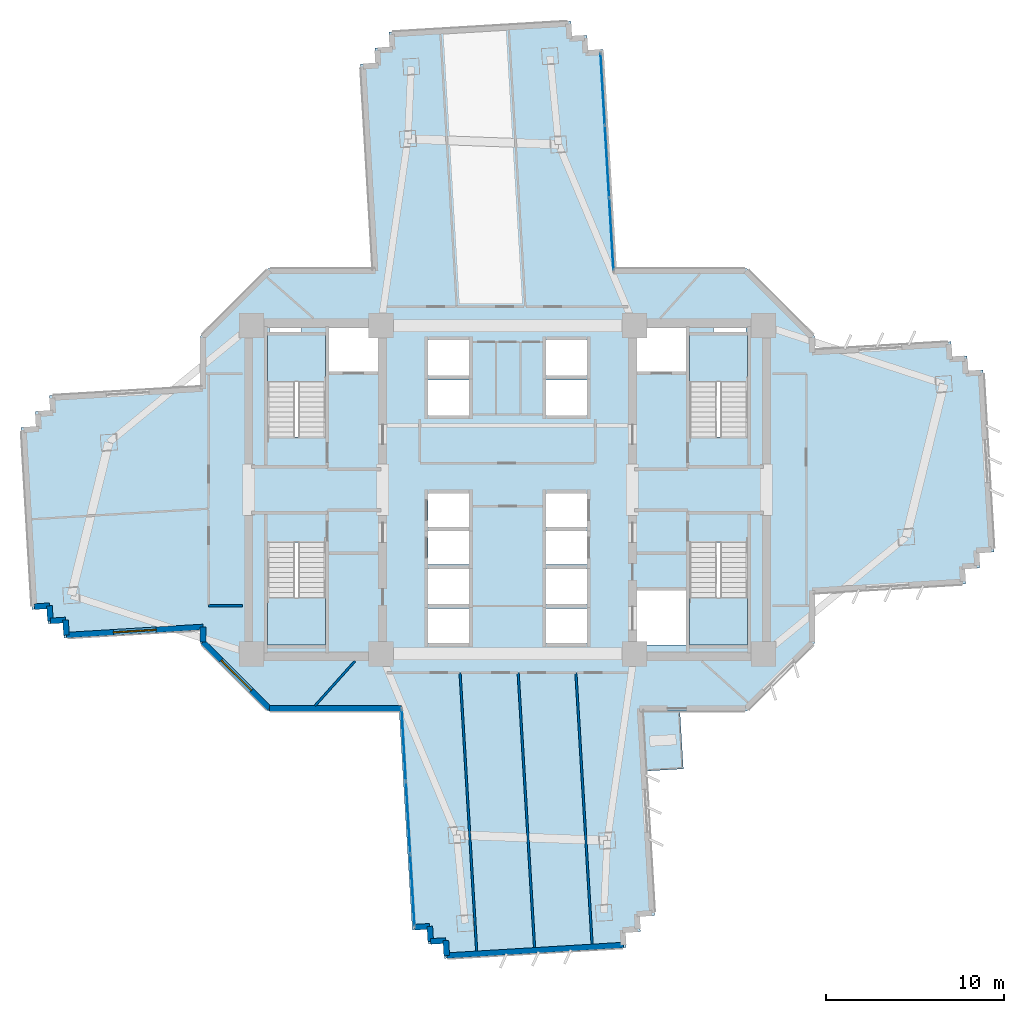
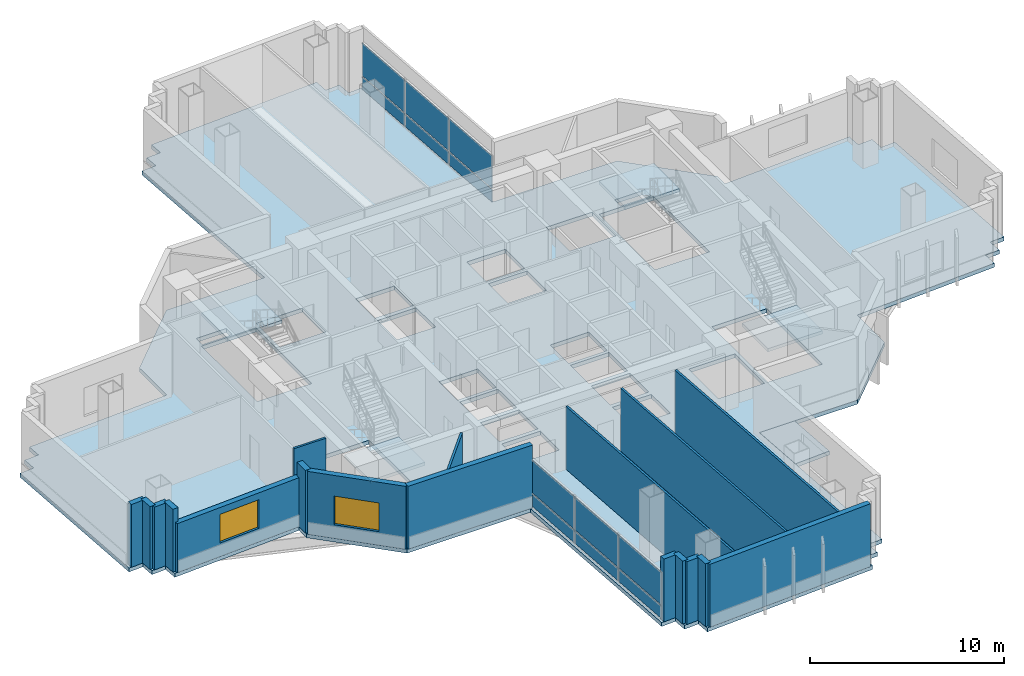
# One storey, part 5 of 15: 18 walls, 12 plates, 6 slabs, 2 windows, 2 openings, 6 elements without a shape of their own.
"""IFC4 building model written with IfcOpenShell, lengths in metres."""

from ifc_helpers import new_model, si_unit, direction, frame, frame_2d, origin, origin_2d, place, context, subcontext, project, spatial, polyline, rectangle, outline, extrude, source, transform, mapped, material, layer, layer_set, type_object, element, fill, aggregate, save


model = new_model("IFC4")

# Units and contexts
model_context = context("Model", 3, precision=1e-05, world=origin(), true_north=direction((0.0, 1.0)))
body_context = subcontext(model_context, "Body", "Model", "MODEL_VIEW")
ifc_project = project(units=[si_unit("LENGTHUNIT", "METRE"), si_unit("AREAUNIT", "SQUARE_METRE"), si_unit("VOLUMEUNIT", "CUBIC_METRE"), si_unit("PLANEANGLEUNIT", "RADIAN"), si_unit("MASSUNIT", "GRAM", prefix="KILO")], contexts=[model_context])

# Site, building, storey
site_placement = place(None, origin())
site = spatial("IfcSite", under=ifc_project, at=site_placement, CompositionType="ELEMENT")
building_placement = place(site_placement, origin())
building = spatial("IfcBuilding", under=site, at=building_placement, Name="Zahravan Cultural Tower", CompositionType="ELEMENT")
storey_placement = place(building_placement, frame((0.0, 0.0, 66.89990234375)))
storey = spatial("IfcBuildingStorey", under=building, at=storey_placement, Name="L14", CompositionType="ELEMENT", Elevation=66.89990234375)

# Stair, slab
ifc_material_1 = material(Name="Concrete C45/55", Category="concrete")
stair_type = type_object("IfcStairType", Name="STR-DL-1550-420", PredefinedType="HALF_TURN_STAIR", material=ifc_material_1)
stair_1_placement = place(storey_placement, origin())
stair_1 = element("IfcStair", 1, at=stair_1_placement, inside=storey, type_object=stair_type, Name="L14 West Core North Exit Stair ST-W1", PredefinedType="HALF_TURN_STAIR")
ifc_layer_1 = layer(ifc_material_1, 0.199951171875)
ifc_layer_set_1 = layer_set([ifc_layer_1], Name="Concrete C45/55")
slab_type_1 = type_object("IfcSlabType", Name="SL-STAIR-LND200", PredefinedType="LANDING", material=ifc_layer_set_1)
slab_1_placement = place(storey_placement, frame((0.0, 0.0, 1.900146484375)))
slab_1 = element("IfcSlab", 2, at=slab_1_placement, type_object=slab_type_1, Name="ST-W1 landing 1", PredefinedType="LANDING", context=body_context, shape_type="SweptSolid", body=[
    extrude(outline(polyline([(25.800048828125, 33.030029296875), (25.800048828125, 35.699951171875), (22.550048828125, 35.699951171875), (22.550048828125, 33.030029296875), (25.800048828125, 33.030029296875)])), origin(), (0.0, 0.0, 1.0), 0.199951171875),
])
aggregate(stair_1, [slab_1])

stair_2_placement = place(storey_placement, origin())
stair_2 = element("IfcStair", 3, at=stair_2_placement, inside=storey, type_object=stair_type, Name="L14 West Core South Exit Stair ST-W2", PredefinedType="HALF_TURN_STAIR")
slab_2_placement = place(storey_placement, frame((0.0, 0.0, 1.900146484375)))
slab_2 = element("IfcSlab", 4, at=slab_2_placement, type_object=slab_type_1, Name="ST-W2 landing 1", PredefinedType="LANDING", context=body_context, shape_type="SweptSolid", body=[
    extrude(outline(polyline([(22.550048828125, 20.969970703125), (22.550048828125, 18.300048828125), (25.800048828125, 18.300048828125), (25.800048828125, 20.969970703125), (22.550048828125, 20.969970703125)])), origin(), (0.0, 0.0, 1.0), 0.199951171875),
])
aggregate(stair_2, [slab_2])

stair_3_placement = place(storey_placement, origin())
stair_3 = element("IfcStair", 5, at=stair_3_placement, inside=storey, type_object=stair_type, Name="L14 East Core North Exit Stair ST-E1", PredefinedType="HALF_TURN_STAIR")
slab_3_placement = place(storey_placement, frame((0.0, 0.0, 1.900146484375)))
slab_3 = element("IfcSlab", 6, at=slab_3_placement, type_object=slab_type_1, Name="ST-E1 landing 1", PredefinedType="LANDING", context=body_context, shape_type="SweptSolid", body=[
    extrude(outline(polyline([(49.449951171875, 33.030029296875), (49.449951171875, 35.699951171875), (46.199951171875, 35.699951171875), (46.199951171875, 33.030029296875), (49.449951171875, 33.030029296875)])), origin(), (0.0, 0.0, 1.0), 0.199951171875),
])
aggregate(stair_3, [slab_3])

stair_4_placement = place(storey_placement, origin())
stair_4 = element("IfcStair", 7, at=stair_4_placement, inside=storey, type_object=stair_type, Name="L14 East Core South Exit Stair ST-E2", PredefinedType="HALF_TURN_STAIR")
slab_4_placement = place(storey_placement, frame((0.0, 0.0, 1.900146484375)))
slab_4 = element("IfcSlab", 8, at=slab_4_placement, type_object=slab_type_1, Name="ST-E2 landing 1", PredefinedType="LANDING", context=body_context, shape_type="SweptSolid", body=[
    extrude(outline(polyline([(46.199951171875, 20.969970703125), (46.199951171875, 18.300048828125), (49.449951171875, 18.300048828125), (49.449951171875, 20.969970703125), (46.199951171875, 20.969970703125)])), origin(), (0.0, 0.0, 1.0), 0.199951171875),
])
aggregate(stair_4, [slab_4])

# Slabs
ifc_material_2 = material(Name="Concrete C40/50", Category="concrete")
ifc_layer_2 = layer(ifc_material_2, 0.239990234375)
ifc_layer_set_2 = layer_set([ifc_layer_2], Name="Concrete C40/50")
slab_type_2 = type_object("IfcSlabType", Name="SL-TERR-240", PredefinedType="FLOOR", material=ifc_layer_set_2)
slab_5_placement = place(storey_placement, frame((0.0, 0.0, -0.239990234375)))
element("IfcSlab", 9, at=slab_5_placement, inside=storey, type_object=slab_type_2, Name="L14 Planted Sculpture Terrace SE", PredefinedType="FLOOR", context=body_context, shape_type="SweptSolid", body=[
    extrude(outline(polyline([(45.8505859375, 11.35986328125), (45.6572265625, 14.594970703125), (43.55859375, 14.594970703125), (43.75927734375, 11.23486328125), (45.8505859375, 11.35986328125)])), origin(), (0.0, 0.0, 1.0), 0.239990234375),
])
ifc_layer_3 = layer(ifc_material_2, 0.25)
ifc_layer_set_3 = layer_set([ifc_layer_3], Name="Concrete C40/50")
slab_type_3 = type_object("IfcSlabType", Name="SL-TYP-250", PredefinedType="FLOOR", material=ifc_layer_set_3)
slab_6_placement = place(storey_placement, frame((0.0, 0.0, -0.25)))
element("IfcSlab", 10, at=slab_6_placement, inside=storey, type_object=slab_type_3, Name="L14 Structural Floor Slab", PredefinedType="FLOOR", context=body_context, shape_type="SweptSolid", body=[
    extrude(outline(polyline([(53.199951171875, 34.840087890625), (53.199951171875, 35.60009765625), (49.39990234375, 39.39990234375), (42.071044921875, 39.39990234375), (41.33837890625, 51.662353515625), (40.48974609375, 51.61181640625), (40.439208984375, 52.460205078125), (39.590576171875, 52.409423828125), (39.539794921875, 53.2578125), (29.358154296875, 52.6494140625), (29.40869140625, 51.801025390625), (28.560302734375, 51.750244140625), (28.611083984375, 50.90185546875), (27.762451171875, 50.85107421875), (28.447021484375, 39.39990234375), (22.60009765625, 39.39990234375), (18.800048828125, 35.60009765625), (18.800048828125, 32.7841796875), (10.33935546875, 32.278564453125), (10.39013671875, 31.43017578125), (9.54150390625, 31.37939453125), (9.59228515625, 30.531005859375), (8.743896484375, 30.480224609375), (9.352294921875, 20.29833984375), (10.20068359375, 20.34912109375), (10.25146484375, 19.50048828125), (11.10009765625, 19.55126953125), (11.150634765625, 18.702880859375), (18.800048828125, 19.159912109375), (18.800048828125, 18.39990234375), (22.60009765625, 14.60009765625), (29.928955078125, 14.60009765625), (30.66162109375, 2.337646484375), (31.51025390625, 2.38818359375), (31.560791015625, 1.539794921875), (32.409423828125, 1.590576171875), (32.460205078125, 0.7421875), (42.641845703125, 1.3505859375), (42.59130859375, 2.198974609375), (43.439697265625, 2.249755859375), (43.388916015625, 3.09814453125), (44.237548828125, 3.14892578125), (43.552978515625, 14.60009765625), (49.39990234375, 14.60009765625), (53.199951171875, 18.39990234375), (53.199951171875, 21.2158203125), (61.66064453125, 21.721435546875), (61.60986328125, 22.56982421875), (62.45849609375, 22.62060546875), (62.40771484375, 23.468994140625), (63.256103515625, 23.519775390625), (62.647705078125, 33.70166015625), (61.79931640625, 33.65087890625), (61.74853515625, 34.49951171875), (60.89990234375, 34.44873046875), (60.849365234375, 35.297119140625), (53.199951171875, 34.840087890625)]), holes=[polyline([(22.550048828125, 29.949951171875), (22.550048828125, 35.699951171875), (25.800048828125, 35.699951171875), (25.800048828125, 29.949951171875), (22.550048828125, 29.949951171875)]), polyline([(22.550048828125, 18.300048828125), (22.550048828125, 24.050048828125), (25.800048828125, 24.050048828125), (25.800048828125, 18.300048828125), (22.550048828125, 18.300048828125)]), polyline([(46.199951171875, 29.949951171875), (46.199951171875, 35.699951171875), (49.449951171875, 35.699951171875), (49.449951171875, 29.949951171875), (46.199951171875, 29.949951171875)]), polyline([(46.199951171875, 18.300048828125), (46.199951171875, 24.050048828125), (49.449951171875, 24.050048828125), (49.449951171875, 18.300048828125), (46.199951171875, 18.300048828125)]), polyline([(26.0, 33.60009765625), (26.0, 36.050048828125), (28.75, 36.050048828125), (28.75, 33.60009765625), (26.0, 33.60009765625)]), polyline([(43.25, 33.60009765625), (43.25, 36.050048828125), (46.0, 36.050048828125), (46.0, 33.60009765625), (43.25, 33.60009765625)]), polyline([(43.25, 18.300048828125), (43.25, 21.35009765625), (46.0, 21.35009765625), (46.0, 18.300048828125), (43.25, 18.300048828125)]), polyline([(31.550048828125, 33.39990234375), (31.550048828125, 35.39990234375), (33.85009765625, 35.39990234375), (33.85009765625, 33.39990234375), (31.550048828125, 33.39990234375)]), polyline([(31.550048828125, 31.14990234375), (31.550048828125, 33.14990234375), (33.85009765625, 33.14990234375), (33.85009765625, 31.14990234375), (31.550048828125, 31.14990234375)]), polyline([(38.14990234375, 33.39990234375), (38.14990234375, 35.39990234375), (40.449951171875, 35.39990234375), (40.449951171875, 33.39990234375), (38.14990234375, 33.39990234375)]), polyline([(38.14990234375, 31.14990234375), (38.14990234375, 33.14990234375), (40.449951171875, 33.14990234375), (40.449951171875, 31.14990234375), (38.14990234375, 31.14990234375)]), polyline([(31.550048828125, 20.60009765625), (31.550048828125, 22.550048828125), (33.85009765625, 22.550048828125), (33.85009765625, 20.60009765625), (31.550048828125, 20.60009765625)]), polyline([(31.550048828125, 18.39990234375), (31.550048828125, 20.35009765625), (33.85009765625, 20.35009765625), (33.85009765625, 18.39990234375), (31.550048828125, 18.39990234375)]), polyline([(38.14990234375, 20.60009765625), (38.14990234375, 22.550048828125), (40.449951171875, 22.550048828125), (40.449951171875, 20.60009765625), (38.14990234375, 20.60009765625)]), polyline([(38.14990234375, 18.39990234375), (38.14990234375, 20.35009765625), (40.449951171875, 20.35009765625), (40.449951171875, 18.39990234375), (38.14990234375, 18.39990234375)]), polyline([(31.550048828125, 24.89990234375), (31.550048828125, 26.800048828125), (33.85009765625, 26.800048828125), (33.85009765625, 24.89990234375), (31.550048828125, 24.89990234375)]), polyline([(31.550048828125, 22.800048828125), (31.550048828125, 24.699951171875), (33.85009765625, 24.699951171875), (33.85009765625, 22.800048828125), (31.550048828125, 22.800048828125)]), polyline([(38.14990234375, 24.89990234375), (38.14990234375, 26.800048828125), (40.449951171875, 26.800048828125), (40.449951171875, 24.89990234375), (38.14990234375, 24.89990234375)]), polyline([(38.14990234375, 22.800048828125), (38.14990234375, 24.699951171875), (40.449951171875, 24.699951171875), (40.449951171875, 22.800048828125), (38.14990234375, 22.800048828125)]), polyline([(22.64990234375, 35.800048828125), (22.64990234375, 36.419921875), (24.449951171875, 36.419921875), (24.449951171875, 35.800048828125), (22.64990234375, 35.800048828125)]), polyline([(47.550048828125, 35.800048828125), (47.550048828125, 36.419921875), (49.35009765625, 36.419921875), (49.35009765625, 35.800048828125), (47.550048828125, 35.800048828125)])]), origin(), (0.0, 0.0, 1.0), 0.25),
])

# Curtain wall, plates
ifc_material_3 = material(Name="Anodised bronze-aluminium mullion", Category="aluminium")
ifc_layer_4 = layer(ifc_material_3, 0.219970703125)
ifc_layer_set_4 = layer_set([ifc_layer_4], Name="Anodised bronze-aluminium mullion")
curtain_wall_type_1 = type_object("IfcCurtainWallType", Name="CW-SYS-1", PredefinedType="USERDEFINED", material=ifc_layer_set_4)
curtain_wall_1_placement = place(storey_placement, origin())
curtain_wall_1 = element("IfcCurtainWall", 11, at=curtain_wall_1_placement, inside=storey, type_object=curtain_wall_type_1, Name="L14 Recessed Curtain Wall CW-1.1", ObjectType="RECESSED GLAZING", PredefinedType="USERDEFINED")
ifc_material_4 = material(Name="Low-E solar-control double glazing", Category="glass")
ifc_layer_5 = layer(ifc_material_4, 0.031982421875)
ifc_layer_set_5 = layer_set([ifc_layer_5], Name="Low-E solar-control double glazing")
plate_type_1 = type_object("IfcPlateType", Name="CWP-CW-1", PredefinedType="CURTAIN_PANEL", material=ifc_layer_set_5)
shared_shape_1 = source(origin(), body_context, "Body", "SweptSolid", [
    extrude(rectangle(XDim=3.97216796875, YDim=0.031982421875, at=origin_2d()), origin(), (0.0, 0.0, 1.0), 0.780029296875),
])
plate_1_placement = place(storey_placement, frame((30.669921875, 4.548095703125, 0.080078125), z_axis=(0.0, 0.0, 1.0), x_axis=(-0.059652198511, 0.998219222021, 0.0)))
plate_1 = element("IfcPlate", 12, at=plate_1_placement, type_object=plate_type_1, Name="CW-1 panel 1.1", PredefinedType="CURTAIN_PANEL", context=body_context, shape_type="MappedRepresentation", body=[
    mapped(shared_shape_1, transform((0.0, 0.0, 0.0), x_axis=(1.0, 0.0, 0.0), y_axis=(0.0, 1.0, 0.0), z_axis=(0.0, 0.0, 1.0), scale=1.0)),
])
plate_2_placement = place(storey_placement, frame((30.18408203125, 12.677734375, 0.080078125), z_axis=(0.0, 0.0, 1.0), x_axis=(-0.059652198511, 0.998219222021, 0.0)))
plate_2 = element("IfcPlate", 13, at=plate_2_placement, type_object=plate_type_1, Name="CW-1 panel 3.1", PredefinedType="CURTAIN_PANEL", context=body_context, shape_type="MappedRepresentation", body=[
    mapped(shared_shape_1, transform((0.0, 0.0, 0.0), x_axis=(1.0, 0.0, 0.0), y_axis=(0.0, 1.0, 0.0), z_axis=(0.0, 0.0, 1.0), scale=1.0)),
])
shared_shape_2 = source(origin(), body_context, "Body", "SweptSolid", [
    extrude(rectangle(XDim=3.97216796875, YDim=0.031982421875, at=origin_2d()), origin(), (0.0, 0.0, 1.0), 2.050048828125),
])
plate_3_placement = place(storey_placement, frame((30.669921875, 4.548095703125, 0.93994140625), z_axis=(0.0, 0.0, 1.0), x_axis=(-0.059652198511, 0.998219222021, 0.0)))
plate_3 = element("IfcPlate", 14, at=plate_3_placement, type_object=plate_type_1, Name="CW-1 panel 1.2", PredefinedType="CURTAIN_PANEL", context=body_context, shape_type="MappedRepresentation", body=[
    mapped(shared_shape_2, transform((0.0, 0.0, 0.0), x_axis=(1.0, 0.0, 0.0), y_axis=(0.0, 1.0, 0.0), z_axis=(0.0, 0.0, 1.0), scale=1.0)),
])
plate_4_placement = place(storey_placement, frame((30.18408203125, 12.677734375, 0.93994140625), z_axis=(0.0, 0.0, 1.0), x_axis=(-0.059652198511, 0.998219222021, 0.0)))
plate_4 = element("IfcPlate", 15, at=plate_4_placement, type_object=plate_type_1, Name="CW-1 panel 3.2", PredefinedType="CURTAIN_PANEL", context=body_context, shape_type="MappedRepresentation", body=[
    mapped(shared_shape_2, transform((0.0, 0.0, 0.0), x_axis=(1.0, 0.0, 0.0), y_axis=(0.0, 1.0, 0.0), z_axis=(0.0, 0.0, 1.0), scale=1.0)),
])
shared_shape_3 = source(origin(), body_context, "Body", "SweptSolid", [
    extrude(rectangle(XDim=4.011962890625, YDim=0.031982421875, at=origin_2d()), origin(), (0.0, 0.0, 1.0), 0.780029296875),
])
plate_5_placement = place(storey_placement, frame((30.427001953125, 8.61279296875, 0.080078125), z_axis=(0.0, 0.0, 1.0), x_axis=(-0.059652198511, 0.998219222021, 0.0)))
plate_5 = element("IfcPlate", 16, at=plate_5_placement, type_object=plate_type_1, Name="CW-1 panel 2.1", PredefinedType="CURTAIN_PANEL", context=body_context, shape_type="MappedRepresentation", body=[
    mapped(shared_shape_3, transform((0.0, 0.0, 0.0), x_axis=(1.0, 0.0, 0.0), y_axis=(0.0, 1.0, 0.0), z_axis=(0.0, 0.0, 1.0), scale=1.0)),
])
shared_shape_4 = source(origin(), body_context, "Body", "SweptSolid", [
    extrude(rectangle(XDim=4.011962890625, YDim=0.031982421875, at=origin_2d()), origin(), (0.0, 0.0, 1.0), 2.050048828125),
])
plate_6_placement = place(storey_placement, frame((30.427001953125, 8.61279296875, 0.93994140625), z_axis=(0.0, 0.0, 1.0), x_axis=(-0.059652198511, 0.998219222021, 0.0)))
plate_6 = element("IfcPlate", 17, at=plate_6_placement, type_object=plate_type_1, Name="CW-1 panel 2.2", PredefinedType="CURTAIN_PANEL", context=body_context, shape_type="MappedRepresentation", body=[
    mapped(shared_shape_4, transform((0.0, 0.0, 0.0), x_axis=(1.0, 0.0, 0.0), y_axis=(0.0, 1.0, 0.0), z_axis=(0.0, 0.0, 1.0), scale=1.0)),
])
aggregate(curtain_wall_1, [plate_1, plate_3, plate_5, plate_6, plate_2, plate_4])

ifc_layer_6 = layer(ifc_material_3, 0.199951171875)
ifc_layer_set_6 = layer_set([ifc_layer_6], Name="Anodised bronze-aluminium mullion")
curtain_wall_type_2 = type_object("IfcCurtainWallType", Name="CW-SYS-2", PredefinedType="USERDEFINED", material=ifc_layer_set_6)
curtain_wall_2_placement = place(storey_placement, origin())
curtain_wall_2 = element("IfcCurtainWall", 18, at=curtain_wall_2_placement, inside=storey, type_object=curtain_wall_type_2, Name="L14 Recessed Curtain Wall CW-2.2", ObjectType="RECESSED GLAZING", PredefinedType="USERDEFINED")
ifc_layer_7 = layer(ifc_material_4, 0.030029296875)
ifc_layer_set_7 = layer_set([ifc_layer_7], Name="Low-E solar-control double glazing")
plate_type_2 = type_object("IfcPlateType", Name="CWP-CW-2", PredefinedType="CURTAIN_PANEL", material=ifc_layer_set_7)
shared_shape_5 = source(origin(), body_context, "Body", "SweptSolid", [
    extrude(rectangle(XDim=3.9794921875, YDim=0.030029296875, at=origin_2d()), origin(), (0.0, 0.0, 1.0), 0.78759765625),
])
plate_7_placement = place(storey_placement, frame((41.330078125, 49.453125, 0.074951171875), z_axis=(0.0, 0.0, 1.0), x_axis=(0.059652198511, -0.998219222021, 0.0)))
plate_7 = element("IfcPlate", 19, at=plate_7_placement, type_object=plate_type_2, Name="CW-2 panel 1.1", PredefinedType="CURTAIN_PANEL", context=body_context, shape_type="MappedRepresentation", body=[
    mapped(shared_shape_5, transform((0.0, 0.0, 0.0), x_axis=(1.0, 0.0, 0.0), y_axis=(0.0, 1.0, 0.0), z_axis=(0.0, 0.0, 1.0), scale=1.0)),
])
plate_8_placement = place(storey_placement, frame((41.81591796875, 41.321044921875, 0.074951171875), z_axis=(0.0, 0.0, 1.0), x_axis=(0.059652198511, -0.998219222021, 0.0)))
plate_8 = element("IfcPlate", 20, at=plate_8_placement, type_object=plate_type_2, Name="CW-2 panel 3.1", PredefinedType="CURTAIN_PANEL", context=body_context, shape_type="MappedRepresentation", body=[
    mapped(shared_shape_5, transform((0.0, 0.0, 0.0), x_axis=(1.0, 0.0, 0.0), y_axis=(0.0, 1.0, 0.0), z_axis=(0.0, 0.0, 1.0), scale=1.0)),
])
shared_shape_6 = source(origin(), body_context, "Body", "SweptSolid", [
    extrude(rectangle(XDim=3.9794921875, YDim=0.030029296875, at=origin_2d()), origin(), (0.0, 0.0, 1.0), 2.0576171875),
])
plate_9_placement = place(storey_placement, frame((41.330078125, 49.453125, 0.9375), z_axis=(0.0, 0.0, 1.0), x_axis=(0.059652198511, -0.998219222021, 0.0)))
plate_9 = element("IfcPlate", 21, at=plate_9_placement, type_object=plate_type_2, Name="CW-2 panel 1.2", PredefinedType="CURTAIN_PANEL", context=body_context, shape_type="MappedRepresentation", body=[
    mapped(shared_shape_6, transform((0.0, 0.0, 0.0), x_axis=(1.0, 0.0, 0.0), y_axis=(0.0, 1.0, 0.0), z_axis=(0.0, 0.0, 1.0), scale=1.0)),
])
plate_10_placement = place(storey_placement, frame((41.81591796875, 41.321044921875, 0.9375), z_axis=(0.0, 0.0, 1.0), x_axis=(0.059652198511, -0.998219222021, 0.0)))
plate_10 = element("IfcPlate", 22, at=plate_10_placement, type_object=plate_type_2, Name="CW-2 panel 3.2", PredefinedType="CURTAIN_PANEL", context=body_context, shape_type="MappedRepresentation", body=[
    mapped(shared_shape_6, transform((0.0, 0.0, 0.0), x_axis=(1.0, 0.0, 0.0), y_axis=(0.0, 1.0, 0.0), z_axis=(0.0, 0.0, 1.0), scale=1.0)),
])
shared_shape_7 = source(origin(), body_context, "Body", "SweptSolid", [
    extrude(rectangle(XDim=4.01708984375, YDim=0.030029296875, at=origin_2d()), origin(), (0.0, 0.0, 1.0), 0.78759765625),
])
plate_11_placement = place(storey_placement, frame((41.572998046875, 45.38720703125, 0.074951171875), z_axis=(0.0, 0.0, 1.0), x_axis=(0.059652198511, -0.998219222021, 0.0)))
plate_11 = element("IfcPlate", 23, at=plate_11_placement, type_object=plate_type_2, Name="CW-2 panel 2.1", PredefinedType="CURTAIN_PANEL", context=body_context, shape_type="MappedRepresentation", body=[
    mapped(shared_shape_7, transform((0.0, 0.0, 0.0), x_axis=(1.0, 0.0, 0.0), y_axis=(0.0, 1.0, 0.0), z_axis=(0.0, 0.0, 1.0), scale=1.0)),
])
shared_shape_8 = source(origin(), body_context, "Body", "SweptSolid", [
    extrude(rectangle(XDim=4.01708984375, YDim=0.030029296875, at=origin_2d()), origin(), (0.0, 0.0, 1.0), 2.0576171875),
])
plate_12_placement = place(storey_placement, frame((41.572998046875, 45.38720703125, 0.9375), z_axis=(0.0, 0.0, 1.0), x_axis=(0.059652198511, -0.998219222021, 0.0)))
plate_12 = element("IfcPlate", 24, at=plate_12_placement, type_object=plate_type_2, Name="CW-2 panel 2.2", PredefinedType="CURTAIN_PANEL", context=body_context, shape_type="MappedRepresentation", body=[
    mapped(shared_shape_8, transform((0.0, 0.0, 0.0), x_axis=(1.0, 0.0, 0.0), y_axis=(0.0, 1.0, 0.0), z_axis=(0.0, 0.0, 1.0), scale=1.0)),
])
aggregate(curtain_wall_2, [plate_7, plate_9, plate_11, plate_12, plate_8, plate_10])

# Wall, opening, window
ifc_material_5 = material(Name="Precast concrete C40/50", Category="concrete")
ifc_layer_8 = layer(ifc_material_5, 0.320068359375)
ifc_layer_set_8 = layer_set([ifc_layer_8], Name="Precast concrete C40/50")
wall_type_1 = type_object("IfcWallType", Name="EW-TC-320", PredefinedType="SOLIDWALL", material=ifc_layer_set_8)
wall_1_placement = place(storey_placement, frame((22.657958984375, 14.739990234375, 0.0), z_axis=(0.0, 0.0, 1.0), x_axis=(-0.707106781187, 0.707106781187, 0.0)))
wall_1 = element("IfcWall", 25, at=wall_1_placement, inside=storey, type_object=wall_type_1, Name="L14 Exterior Masonry Frame Wall 26", PredefinedType="SOLIDWALL", context=body_context, shape_type="SweptSolid", body=[
    extrude(rectangle(XDim=5.258056640625, YDim=0.320068359375, at=frame_2d((2.62890625, 0.0))), origin(), (0.0, 0.0, 1.0), 3.9501953125),
])
opening_1_placement = place(wall_1_placement, frame((1.428955078125, 0.0, 0.85009765625)))
opening_1 = element("IfcOpeningElement", 26, at=opening_1_placement, cuts=wall_1, Name="Opening WN-01", PredefinedType="OPENING", context=body_context, shape_type="SweptSolid", body=[
    extrude(rectangle(XDim=2.39990234375, YDim=1.800048828125, at=frame_2d((1.199951171875, 0.89990234375))), frame((0.0, 0.169921875, 0.0), z_axis=(0.0, -1.0, 0.0), x_axis=(1.0, 0.0, 0.0)), (0.0, 0.0, 1.0), 0.340087890625),
])
window_type = type_object("IfcWindowType", Name="WN-REC-2400X1800", PartitioningType="DOUBLE_PANEL_VERTICAL", PredefinedType="WINDOW", material=ifc_material_4)
shared_shape_9 = source(origin(), body_context, "Body", "SweptSolid", [
    extrude(rectangle(XDim=2.39990234375, YDim=1.800048828125, at=frame_2d((1.199951171875, 0.89990234375))), frame((0.0, 0.030029296875, 0.0), z_axis=(0.0, -1.0, 0.0), x_axis=(1.0, 0.0, 0.0)), (0.0, 0.0, 1.0), 0.06005859375),
])
window_1_placement = place(opening_1_placement, origin())
window_1 = element("IfcWindow", 27, at=window_1_placement, inside=storey, type_object=window_type, Name="L14 Recessed Solar Window 06", OverallHeight=1.800048828125, OverallWidth=2.39990234375, PartitioningType="DOUBLE_PANEL_VERTICAL", PredefinedType="WINDOW", context=body_context, shape_type="MappedRepresentation", body=[
    mapped(shared_shape_9, transform((0.0, 0.0, 0.0), x_axis=(1.0, 0.0, 0.0), y_axis=(0.0, 1.0, 0.0), z_axis=(0.0, 0.0, 1.0), scale=1.0)),
])
fill(opening_1, window_1)

wall_2_placement = place(storey_placement, frame((18.93994140625, 19.30859375, 0.0), z_axis=(0.0, 0.0, 1.0), x_axis=(-0.998218176762, -0.059669687296, 0.0)))
wall_2 = element("IfcWall", 28, at=wall_2_placement, inside=storey, type_object=wall_type_1, Name="L14 Exterior Masonry Frame Wall 28", PredefinedType="SOLIDWALL", context=body_context, shape_type="SweptSolid", body=[
    extrude(rectangle(XDim=7.671630859375, YDim=0.320068359375, at=frame_2d((3.8359375, 0.0))), origin(), (0.0, 0.0, 1.0), 3.080078125),
])
opening_2_placement = place(wall_2_placement, frame((2.635986328125, 0.0, 0.85009765625)))
opening_2 = element("IfcOpeningElement", 29, at=opening_2_placement, cuts=wall_2, Name="Opening WN-01", PredefinedType="OPENING", context=body_context, shape_type="SweptSolid", body=[
    extrude(rectangle(XDim=2.39990234375, YDim=1.800048828125, at=frame_2d((1.199951171875, 0.89990234375))), frame((0.0, 0.169921875, 0.0), z_axis=(0.0, -1.0, 0.0), x_axis=(1.0, 0.0, 0.0)), (0.0, 0.0, 1.0), 0.340087890625),
])
window_2_placement = place(opening_2_placement, origin())
window_2 = element("IfcWindow", 30, at=window_2_placement, inside=storey, type_object=window_type, Name="L14 Recessed Solar Window 07", OverallHeight=1.800048828125, OverallWidth=2.39990234375, PartitioningType="DOUBLE_PANEL_VERTICAL", PredefinedType="WINDOW", context=body_context, shape_type="MappedRepresentation", body=[
    mapped(shared_shape_9, transform((0.0, 0.0, 0.0), x_axis=(1.0, 0.0, 0.0), y_axis=(0.0, 1.0, 0.0), z_axis=(0.0, 0.0, 1.0), scale=1.0)),
])
fill(opening_2, window_2)

# Walls
shared_shape_10 = source(origin(), body_context, "Body", "SweptSolid", [
    extrude(rectangle(XDim=0.85009765625, YDim=0.320068359375, at=frame_2d((0.425048828125, 0.0))), origin(), (0.0, 0.0, 1.0), 3.9501953125),
])
for number, where, z_axis, x_axis, name in (
    (31, (32.591552734375, 0.89013671875, 0.0), (0.0, 0.0, 1.0), (-0.059732049764, 0.998214447016, 0.0), "L14 Exterior Masonry Frame Wall 21"),
    (32, (11.281982421875, 18.850830078125, 0.0), (0.0, 0.0, 1.0), (-0.059445893707, 0.998231529116, 0.0), "L14 Exterior Masonry Frame Wall 29"),
    (33, (11.2314453125, 19.699462890625, 0.0), (0.0, 0.0, 1.0), (-0.998214447016, -0.059732049764, 0.0), "L14 Exterior Masonry Frame Wall 30"),
    (34, (10.3828125, 19.648681640625, 0.0), (0.0, 0.0, 1.0), (-0.059445893707, 0.998231529116, 0.0), "L14 Exterior Masonry Frame Wall 31"),
    (35, (10.332275390625, 20.497314453125, 0.0), (0.0, 0.0, 1.0), (-0.998214447016, -0.059732049764, 0.0), "L14 Exterior Masonry Frame Wall 32"),
):
    element("IfcWall", number, at=place(storey_placement, frame(where, z_axis=z_axis, x_axis=x_axis)), inside=storey, type_object=wall_type_1, Name=name, PredefinedType="SOLIDWALL", context=body_context, shape_type="MappedRepresentation", body=[
        mapped(shared_shape_10, transform((0.0, 0.0, 0.0), x_axis=(1.0, 0.0, 0.0), y_axis=(0.0, 1.0, 0.0), z_axis=(0.0, 0.0, 1.0), scale=1.0)),
    ])
shared_shape_11 = source(origin(), body_context, "Body", "SweptSolid", [
    extrude(rectangle(XDim=0.849853515625, YDim=0.320068359375, at=frame_2d((0.4248046875, 0.0))), origin(), (0.0, 0.0, 1.0), 3.9501953125),
])
for number, where, z_axis, x_axis, name in (
    (36, (32.540771484375, 1.73876953125, 0.0), (0.0, 0.0, 1.0), (-0.998213421964, -0.059749177487, 0.0), "L14 Exterior Masonry Frame Wall 22"),
    (37, (31.6923828125, 1.68798828125, 0.0), (0.0, 0.0, 1.0), (-0.059749177487, 0.998213421964, 0.0), "L14 Exterior Masonry Frame Wall 23"),
    (38, (31.6416015625, 2.536376953125, 0.0), (0.0, 0.0, 1.0), (-0.998213421964, -0.059749177487, 0.0), "L14 Exterior Masonry Frame Wall 24"),
):
    element("IfcWall", number, at=place(storey_placement, frame(where, z_axis=z_axis, x_axis=x_axis)), inside=storey, type_object=wall_type_1, Name=name, PredefinedType="SOLIDWALL", context=body_context, shape_type="MappedRepresentation", body=[
        mapped(shared_shape_11, transform((0.0, 0.0, 0.0), x_axis=(1.0, 0.0, 0.0), y_axis=(0.0, 1.0, 0.0), z_axis=(0.0, 0.0, 1.0), scale=1.0)),
    ])
shared_shape_12 = source(origin(), body_context, "Body", "SweptSolid", [
    extrude(rectangle(XDim=9.919921875, YDim=0.320068359375, at=frame_2d((4.9599609375, 0.0))), origin(), (0.0, 0.0, 1.0), 3.9501953125),
])
wall_3_placement = place(storey_placement, frame((42.493896484375, 1.48193359375, 0.0), z_axis=(0.0, 0.0, 1.0), x_axis=(-0.998218942745, -0.059656871726, 0.0)))
element("IfcWall", 39, at=wall_3_placement, inside=storey, type_object=wall_type_1, Name="L14 Exterior Masonry Frame Wall 20", PredefinedType="SOLIDWALL", context=body_context, shape_type="MappedRepresentation", body=[
    mapped(shared_shape_12, transform((0.0, 0.0, 0.0), x_axis=(1.0, 0.0, 0.0), y_axis=(0.0, 1.0, 0.0), z_axis=(0.0, 0.0, 1.0), scale=1.0)),
])
shared_shape_13 = source(origin(), body_context, "Body", "SweptSolid", [
    extrude(rectangle(XDim=7.40283203125, YDim=0.320068359375, at=frame_2d((3.701416015625, 0.0))), origin(), (0.0, 0.0, 1.0), 3.9501953125),
])
wall_4_placement = place(storey_placement, frame((30.060791015625, 14.739990234375, 0.0), z_axis=(0.0, 0.0, 1.0), x_axis=(-1.0, 0.0, 0.0)))
element("IfcWall", 40, at=wall_4_placement, inside=storey, type_object=wall_type_1, Name="L14 Exterior Masonry Frame Wall 25", PredefinedType="SOLIDWALL", context=body_context, shape_type="MappedRepresentation", body=[
    mapped(shared_shape_13, transform((0.0, 0.0, 0.0), x_axis=(1.0, 0.0, 0.0), y_axis=(0.0, 1.0, 0.0), z_axis=(0.0, 0.0, 1.0), scale=1.0)),
])
shared_shape_14 = source(origin(), body_context, "Body", "SweptSolid", [
    extrude(rectangle(XDim=0.8505859375, YDim=0.320068359375, at=frame_2d((0.42529296875, 0.0))), origin(), (0.0, 0.0, 1.0), 3.9501953125),
])
wall_5_placement = place(storey_placement, frame((18.93994140625, 18.4580078125, 0.0), z_axis=(0.0, 0.0, 1.0), x_axis=(0.0, 1.0, 0.0)))
element("IfcWall", 41, at=wall_5_placement, inside=storey, type_object=wall_type_1, Name="L14 Exterior Masonry Frame Wall 27", PredefinedType="SOLIDWALL", context=body_context, shape_type="MappedRepresentation", body=[
    mapped(shared_shape_14, transform((0.0, 0.0, 0.0), x_axis=(1.0, 0.0, 0.0), y_axis=(0.0, 1.0, 0.0), z_axis=(0.0, 0.0, 1.0), scale=1.0)),
])
ifc_material_6 = material(Name="Gypsum plasterboard partition")
ifc_layer_9 = layer(ifc_material_6, 0.125)
ifc_layer_set_9 = layer_set([ifc_layer_9], Name="Gypsum plasterboard partition")
wall_type_2 = type_object("IfcWallType", Name="W-PART-125", PredefinedType="PARTITIONING", material=ifc_layer_set_9)
shared_shape_15 = source(origin(), body_context, "Body", "SweptSolid", [
    extrude(rectangle(XDim=15.41796875, YDim=0.125, at=frame_2d((7.708984375, 0.0))), origin(), (0.0, 0.0, 1.0), 3.9501953125),
])
wall_6_placement = place(storey_placement, frame((37.512939453125, 1.349609375, 0.0), z_axis=(0.0, 0.0, 1.0), x_axis=(-0.059666030768, 0.998218395329, 0.0)))
element("IfcWall", 42, at=wall_6_placement, inside=storey, type_object=wall_type_2, Name="L14 Interior Wall 079", PredefinedType="PARTITIONING", context=body_context, shape_type="MappedRepresentation", body=[
    mapped(shared_shape_15, transform((0.0, 0.0, 0.0), x_axis=(1.0, 0.0, 0.0), y_axis=(0.0, 1.0, 0.0), z_axis=(0.0, 0.0, 1.0), scale=1.0)),
])
shared_shape_16 = source(origin(), body_context, "Body", "SweptSolid", [
    extrude(rectangle(XDim=15.224853515625, YDim=0.125, at=frame_2d((7.6123046875, 0.0))), origin(), (0.0, 0.0, 1.0), 3.9501953125),
])
wall_7_placement = place(storey_placement, frame((39.828857421875, 16.739990234375, 0.0), z_axis=(0.0, 0.0, 1.0), x_axis=(0.059652617074, -0.998219197008, 0.0)))
element("IfcWall", 43, at=wall_7_placement, inside=storey, type_object=wall_type_2, Name="L14 Interior Wall 081", PredefinedType="PARTITIONING", context=body_context, shape_type="MappedRepresentation", body=[
    mapped(shared_shape_16, transform((0.0, 0.0, 0.0), x_axis=(1.0, 0.0, 0.0), y_axis=(0.0, 1.0, 0.0), z_axis=(0.0, 0.0, 1.0), scale=1.0)),
])
shared_shape_17 = source(origin(), body_context, "Body", "SweptSolid", [
    extrude(rectangle(XDim=15.612060546875, YDim=0.125, at=frame_2d((7.80615234375, 0.0))), origin(), (0.0, 0.0, 1.0), 3.9501953125),
])
wall_8_placement = place(storey_placement, frame((34.268798828125, 1.15576171875, 0.0), z_axis=(0.0, 0.0, 1.0), x_axis=(-0.059658872533, 0.998218823169, 0.0)))
element("IfcWall", 44, at=wall_8_placement, inside=storey, type_object=wall_type_2, Name="L14 Interior Wall 082", PredefinedType="PARTITIONING", context=body_context, shape_type="MappedRepresentation", body=[
    mapped(shared_shape_17, transform((0.0, 0.0, 0.0), x_axis=(1.0, 0.0, 0.0), y_axis=(0.0, 1.0, 0.0), z_axis=(0.0, 0.0, 1.0), scale=1.0)),
])
shared_shape_18 = source(origin(), body_context, "Body", "SweptSolid", [
    extrude(rectangle(XDim=3.34765625, YDim=0.125, at=frame_2d((1.673828125, 0.0))), origin(), (0.0, 0.0, 1.0), 3.9501953125),
])
wall_9_placement = place(storey_placement, frame((25.215087890625, 14.9013671875, 0.0), z_axis=(0.0, 0.0, 1.0), x_axis=(0.667206176518, 0.74487308853, 0.0)))
element("IfcWall", 45, at=wall_9_placement, inside=storey, type_object=wall_type_2, Name="L14 Interior Wall 088", PredefinedType="PARTITIONING", context=body_context, shape_type="MappedRepresentation", body=[
    mapped(shared_shape_18, transform((0.0, 0.0, 0.0), x_axis=(1.0, 0.0, 0.0), y_axis=(0.0, 1.0, 0.0), z_axis=(0.0, 0.0, 1.0), scale=1.0)),
])
shared_shape_19 = source(origin(), body_context, "Body", "SweptSolid", [
    extrude(rectangle(XDim=1.89599609375, YDim=0.125, at=frame_2d((0.947998046875, 0.0))), origin(), (0.0, 0.0, 1.0), 3.9501953125),
])
wall_10_placement = place(storey_placement, frame((19.25048828125, 20.50341796875, 0.0), z_axis=(0.0, 0.0, 1.0), x_axis=(0.999998806185, -0.001545195168, 0.0)))
element("IfcWall", 46, at=wall_10_placement, inside=storey, type_object=wall_type_2, Name="L14 Interior Wall 098", PredefinedType="PARTITIONING", context=body_context, shape_type="MappedRepresentation", body=[
    mapped(shared_shape_19, transform((0.0, 0.0, 0.0), x_axis=(1.0, 0.0, 0.0), y_axis=(0.0, 1.0, 0.0), z_axis=(0.0, 0.0, 1.0), scale=1.0)),
])

save(model, "model.ifc")
